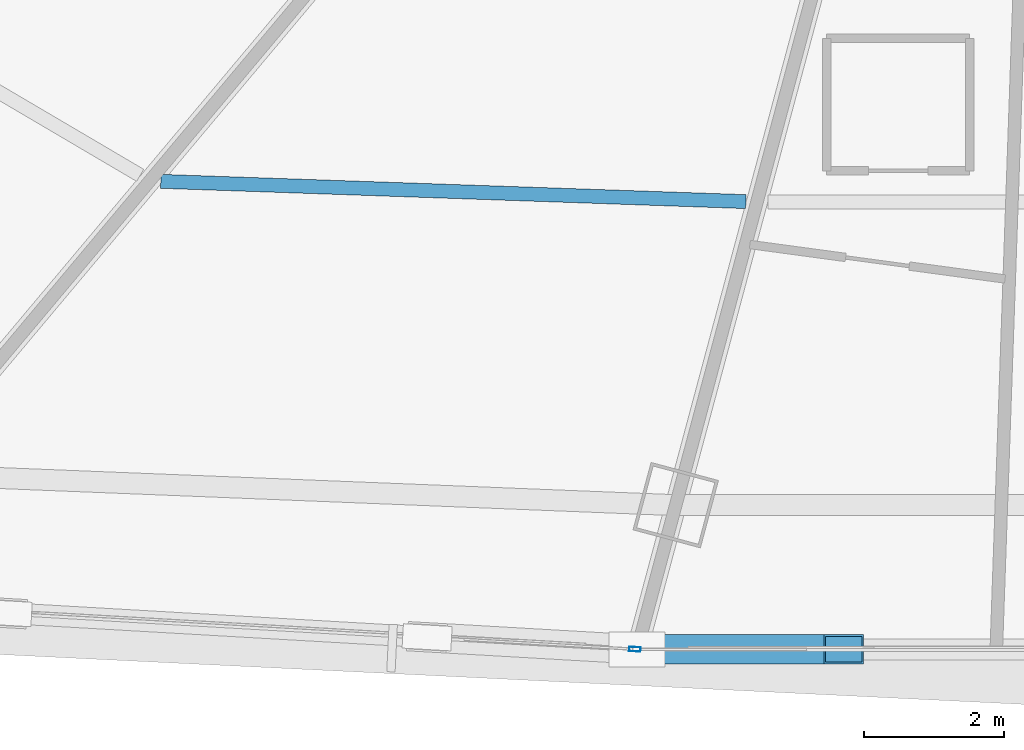
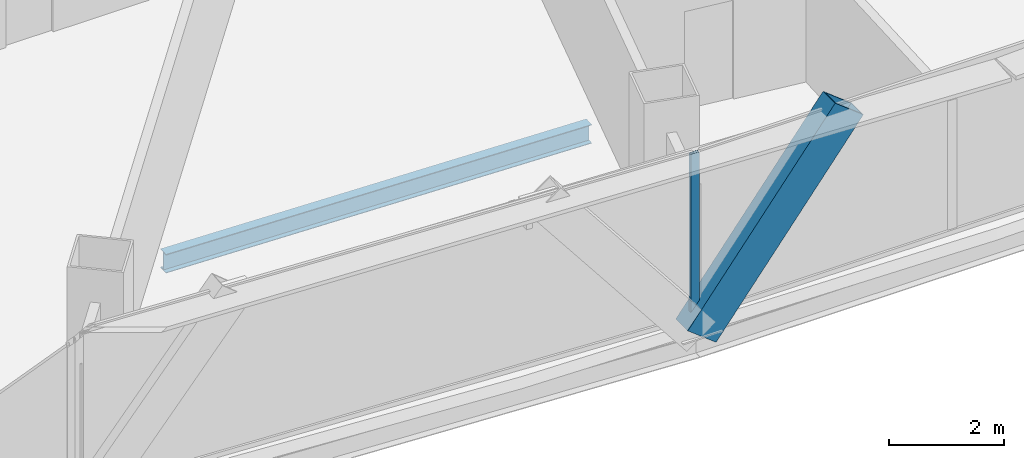
# One storey, part 8 of 38: 2 members, 1 beam, 1 element without a shape of its own.
"""IFC4 building model written with IfcOpenShell, lengths in metres."""

from ifc_helpers import new_model, si_unit, direction, frame, origin, origin_2d, place, context, subcontext, project, spatial, hollow_rectangle, i_section, extrude, source, transform, mapped, material, layer, layer_set, material_profile, profile_set, type_object, element, aggregate, save


model = new_model("IFC4")

# Units and contexts
model_context = context("Model", 3, precision=1e-05, world=origin(), true_north=direction((0.0, 1.0)))
body_context = subcontext(model_context, "Body", "Model", "MODEL_VIEW")
ifc_project = project(units=[si_unit("LENGTHUNIT", "METRE"), si_unit("AREAUNIT", "SQUARE_METRE"), si_unit("VOLUMEUNIT", "CUBIC_METRE"), si_unit("PLANEANGLEUNIT", "RADIAN"), si_unit("MASSUNIT", "GRAM", prefix="KILO"), si_unit("THERMODYNAMICTEMPERATUREUNIT", "KELVIN"), si_unit("POWERUNIT", "WATT")], contexts=[model_context])

# Site, building, storey
site_placement = place(None, origin())
site = spatial("IfcSite", under=ifc_project, at=site_placement, CompositionType="ELEMENT")
building_placement = place(site_placement, origin())
building = spatial("IfcBuilding", under=site, at=building_placement, Name="Yunzhuo Pagoda Commons", CompositionType="ELEMENT")
storey_placement = place(building_placement, frame((0.0, 0.0, 81.179931640625)))
storey = spatial("IfcBuildingStorey", under=building, at=storey_placement, Name="L20", CompositionType="ELEMENT", Elevation=81.179931640625)

# Beam
ifc_material_1 = material(Name="Structural steel Q355B", Category="steel")
ifc_material_profile_1 = material_profile(ifc_material_1, i_section(OverallWidth=0.199951171875, OverallDepth=0.39990234375, WebThickness=0.008056640625, FlangeThickness=0.012939453125, at=origin_2d()), Name="Structural steel Q355B")
ifc_profile_set_1 = profile_set([ifc_material_profile_1], Name="Structural steel Q355B")
beam_type = type_object("IfcBeamType", Name="B-JS1 Joist HN 400x200x8x13", PredefinedType="JOIST", material=ifc_profile_set_1)
shared_shape_1 = source(origin(), body_context, "Body", "SweptSolid", [
    extrude(i_section(OverallWidth=0.199951171875, OverallDepth=0.39990234375, WebThickness=0.008056640625, FlangeThickness=0.012939453125, at=origin_2d()), origin(), (0.0, 0.0, 1.0), 8.392822265625),
])
beam_placement = place(storey_placement, frame((35.25048828125, 18.310791015625, -0.4599609375), z_axis=(0.999400667027, -0.034616567521, 0.0), x_axis=(0.034616567521, 0.999400667027, 0.0)))
element("IfcBeam", 1, at=beam_placement, inside=storey, type_object=beam_type, Name="L20 composite ring joist 2.1", PredefinedType="JOIST", context=body_context, shape_type="MappedRepresentation", body=[
    mapped(shared_shape_1, transform((0.0, 0.0, 0.0), scale=1.0)),
])

# Member
ifc_material_2 = material(Name="Structural steel Q420B", Category="steel")
ifc_material_profile_2 = material_profile(ifc_material_2, hollow_rectangle(XDim=0.419921875, YDim=0.719970703125, WallThickness=0.028076171875, at=origin_2d()), Name="Structural steel Q420B")
ifc_profile_set_2 = profile_set([ifc_material_profile_2], Name="Structural steel Q420B")
member_type_1 = type_object("IfcMemberType", Name="M-DL1 Brace BOX 720x420x28", PredefinedType="BRACE", material=ifc_profile_set_2)
shared_shape_2 = source(origin(), body_context, "Body", "SweptSolid", [
    extrude(hollow_rectangle(XDim=0.419921875, YDim=0.719970703125, WallThickness=0.028076171875, at=origin_2d()), origin(), (0.0, 0.0, 1.0), 4.8173828125),
])
member_1_placement = place(storey_placement, frame((42.07861328125, 11.60107421875, -0.260009765625), z_axis=(0.614600022777, 0.0, 0.788838901172), x_axis=(0.0, 1.0, 0.0)))
element("IfcMember", 2, at=member_1_placement, inside=storey, type_object=member_type_1, Name="L20 facade diamond brace F1.2L", PredefinedType="BRACE", context=body_context, shape_type="MappedRepresentation", body=[
    mapped(shared_shape_2, transform((0.0, 0.0, 0.0), scale=1.0)),
])

# Curtain wall, member
ifc_material_3 = material(Name="Anodized aluminium 6063-T6", Category="aluminium")
ifc_layer = layer(ifc_material_3, 0.1650390625)
ifc_layer_set = layer_set([ifc_layer], Name="Anodized aluminium 6063-T6")
curtain_wall_type = type_object("IfcCurtainWallType", Name="CW-LOW Low-Zone Ribbon Curtain Wall", PredefinedType="NOTDEFINED", material=ifc_layer_set)
curtain_wall_placement = place(storey_placement, origin())
curtain_wall = element("IfcCurtainWall", 3, at=curtain_wall_placement, inside=storey, type_object=curtain_wall_type, Name="L20 curtain wall CW-L20-F1B2", PredefinedType="NOTDEFINED")
ifc_material_profile_3 = material_profile(ifc_material_3, hollow_rectangle(XDim=0.06494140625, YDim=0.1650390625, WallThickness=0.00390625, at=origin_2d()), Name="Anodized aluminium 6063-T6")
ifc_profile_set_3 = profile_set([ifc_material_profile_3], Name="Anodized aluminium 6063-T6")
member_type_2 = type_object("IfcMemberType", Name="CW-LOW-M Mullion RHS 165x65x4", PredefinedType="MULLION", material=ifc_profile_set_3)
shared_shape_3 = source(origin(), body_context, "Body", "SweptSolid", [
    extrude(hollow_rectangle(XDim=0.06494140625, YDim=0.1650390625, WallThickness=0.00390625, at=origin_2d()), origin(), (0.0, 0.0, 1.0), 3.5400390625),
])
member_2_placement = place(storey_placement, frame((42.046142578125, 11.60302734375, 0.0), z_axis=(0.0, 0.0, 1.0), x_axis=(0.057418382325, 0.998350203772, 0.0)))
member_2 = element("IfcMember", 4, at=member_2_placement, type_object=member_type_2, Name="CW mullion 2", PredefinedType="MULLION", context=body_context, shape_type="MappedRepresentation", body=[
    mapped(shared_shape_3, transform((0.0, 0.0, 0.0), scale=1.0)),
])
aggregate(curtain_wall, [member_2])

save(model, "model.ifc")
